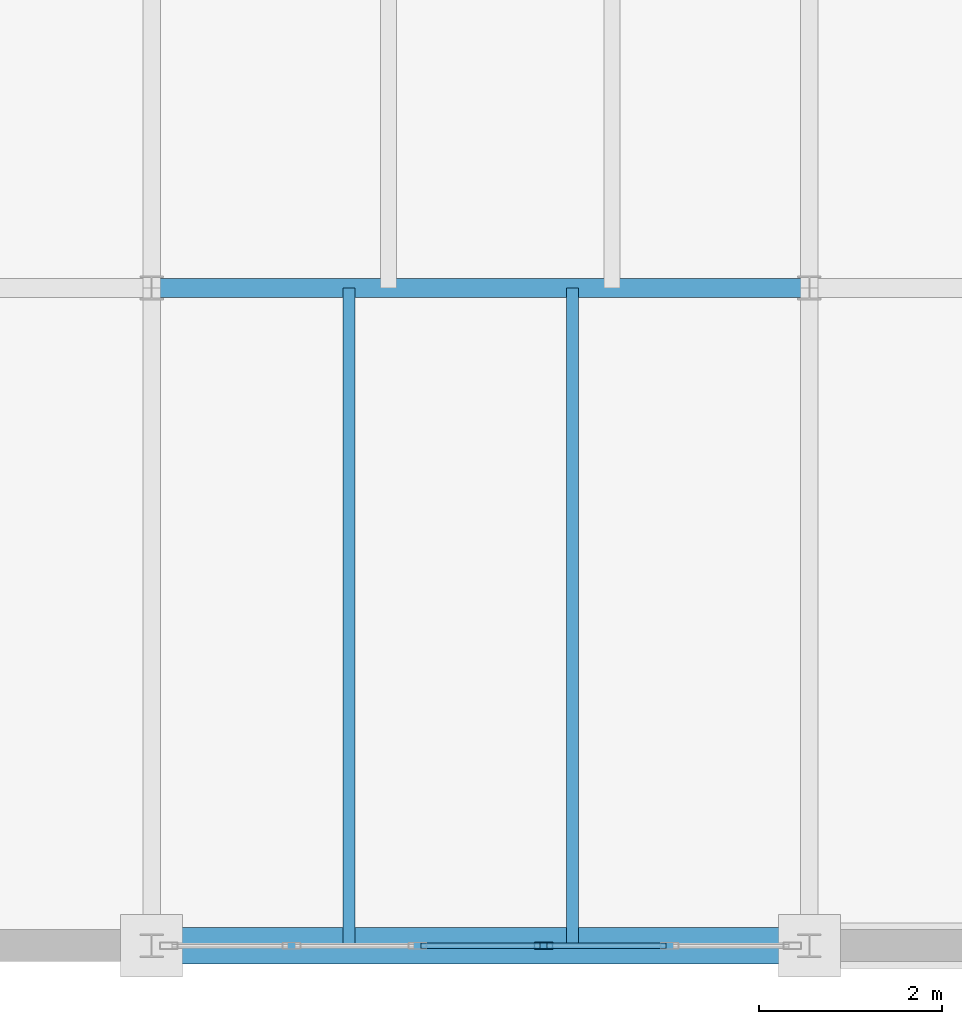
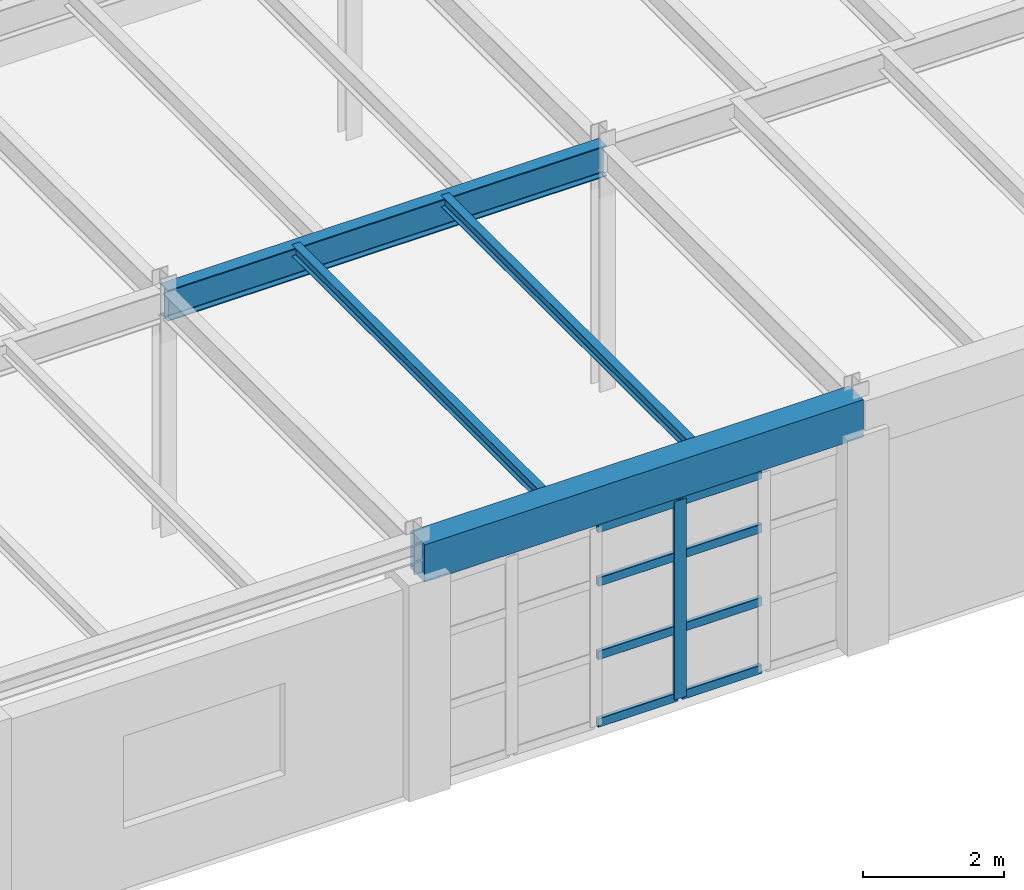
# One storey, part 50 of 137: 9 members, 4 beams, 1 element without a shape of its own.
"""IFC4 building model written with IfcOpenShell, lengths in metres."""

from ifc_helpers import new_model, si_unit, direction, frame, origin, origin_2d, place, context, subcontext, project, spatial, rectangle, hollow_rectangle, i_section, extrude, material, layer, layer_set, material_profile, profile_set, type_object, element, aggregate, save


model = new_model("IFC4")

# Units and contexts
model_context = context("Model", 3, precision=1e-05, world=origin(), true_north=direction((0.0, 1.0)))
body_context = subcontext(model_context, "Body", "Model", "MODEL_VIEW")
ifc_project = project(units=[si_unit("LENGTHUNIT", "METRE"), si_unit("AREAUNIT", "SQUARE_METRE"), si_unit("VOLUMEUNIT", "CUBIC_METRE"), si_unit("PLANEANGLEUNIT", "RADIAN"), si_unit("MASSUNIT", "GRAM", prefix="KILO")], contexts=[model_context])

# Site, building, storey
site_placement = place(None, origin())
site = spatial("IfcSite", under=ifc_project, at=site_placement, CompositionType="ELEMENT")
building_placement = place(site_placement, origin())
building = spatial("IfcBuilding", under=site, at=building_placement, Name="Kemerveld Promenade Tramway Depot", CompositionType="ELEMENT")
storey_placement = place(building_placement, frame((0.0, 0.0, 5.39990234375)))
storey = spatial("IfcBuildingStorey", under=building, at=storey_placement, Name="L01", CompositionType="ELEMENT", Elevation=5.39990234375)

# Beams
ifc_material_1 = material(Name="Steel S355", Category="steel")
ifc_material_profile_1 = material_profile(ifc_material_1, i_section(OverallWidth=0.2099609375, OverallDepth=0.53662109375, WebThickness=0.0107421875, FlangeThickness=0.017333984375, FilletRadius=0.0126953125, at=origin_2d()), Name="533x210x101 UB")
ifc_profile_set_1 = profile_set([ifc_material_profile_1], Name="Steel S355")
beam_type_1 = type_object("IfcBeamType", Name="BM-G05", PredefinedType="BEAM", material=ifc_profile_set_1)
beam_1_placement = place(storey_placement, frame((122.39990234375, 7.199951171875, 3.981689453125), z_axis=(1.0, 0.0, 0.0), x_axis=(0.0, 1.0, 0.0)))
element("IfcBeam", 1, at=beam_1_placement, inside=storey, type_object=beam_type_1, Name="BMX-L01-18-19-B", PredefinedType="BEAM", context=body_context, shape_type="SweptSolid", body=[
    extrude(i_section(OverallWidth=0.2099609375, OverallDepth=0.53662109375, WebThickness=0.0107421875, FlangeThickness=0.017333984375, FilletRadius=0.0126953125, at=origin_2d()), origin(), (0.0, 0.0, 1.0), 7.2001953125),
])
ifc_material_profile_2 = material_profile(ifc_material_1, i_section(OverallWidth=0.13330078125, OverallDepth=0.203125, WebThickness=0.005615234375, FlangeThickness=0.0078125, FilletRadius=0.007568359375, at=origin_2d()), Name="203x133x25 UB")
ifc_profile_set_2 = profile_set([ifc_material_profile_2], Name="Steel S355")
beam_type_2 = type_object("IfcBeamType", Name="BM-J03", PredefinedType="JOIST", material=ifc_profile_set_2)
for number, where, z_axis, x_axis, name in (
    (2, (124.56005859375, 0.0, 4.1484375), (0.0, 1.0, 0.0), (-1.0, 0.0, 0.0), "JST-L01-18-A-1"),
    (3, (127.008056640625, 0.0, 4.1484375), (0.0, 1.0, 0.0), (-1.0, 0.0, 0.0), "JST-L01-18-A-2"),
):
    element("IfcBeam", number, at=place(storey_placement, frame(where, z_axis=z_axis, x_axis=x_axis)), inside=storey, type_object=beam_type_2, Name=name, PredefinedType="JOIST", context=body_context, shape_type="SweptSolid", body=[
        extrude(i_section(OverallWidth=0.13330078125, OverallDepth=0.203125, WebThickness=0.005615234375, FlangeThickness=0.0078125, FilletRadius=0.007568359375, at=origin_2d()), origin(), (0.0, 0.0, 1.0), 7.199951171875),
    ])
ifc_material_2 = material(Name="Concrete C40/50", Category="concrete")
ifc_material_profile_3 = material_profile(ifc_material_2, rectangle(XDim=0.39990234375, YDim=0.64990234375, at=origin_2d()), Name="RC-BM-400x650")
ifc_profile_set_3 = profile_set([ifc_material_profile_3], Name="Concrete C40/50")
beam_type_3 = type_object("IfcBeamType", Name="BM-RC1", PredefinedType="BEAM", material=ifc_profile_set_3)
beam_2_placement = place(storey_placement, frame((122.39990234375, 0.0, 3.93505859375), z_axis=(1.0, 0.0, 0.0), x_axis=(0.0, 1.0, 0.0)))
element("IfcBeam", 4, at=beam_2_placement, inside=storey, type_object=beam_type_3, Name="BMX-L01-18-19-A", PredefinedType="BEAM", context=body_context, shape_type="SweptSolid", body=[
    extrude(rectangle(XDim=0.39990234375, YDim=0.64990234375, at=origin_2d()), origin(), (0.0, 0.0, 1.0), 7.2001953125),
])

# Curtain wall, members
ifc_material_3 = material(Name="Bronze anodised aluminium and solar glass", Category="aluminium")
ifc_layer = layer(ifc_material_3, 0.199951171875)
ifc_layer_set = layer_set([ifc_layer], Name="CW-SYS-08")
curtain_wall_type = type_object("IfcCurtainWallType", Name="CW-SYS-08", PredefinedType="USERDEFINED", material=ifc_layer_set)
curtain_wall_placement = place(storey_placement, origin())
curtain_wall = element("IfcCurtainWall", 5, at=curtain_wall_placement, inside=storey, type_object=curtain_wall_type, Name="CW-L01-V4S-05", ObjectType="GLAZED_CURTAIN_WALL", PredefinedType="USERDEFINED")
ifc_material_4 = material(Name="Bronze anodised aluminium", Category="aluminium")
ifc_material_profile_4 = material_profile(ifc_material_4, hollow_rectangle(XDim=0.074951171875, YDim=0.199951171875, WallThickness=0.0048828125, InnerFilletRadius=0.001953125, OuterFilletRadius=0.0048828125, at=origin_2d()), Name="CW-MUL-200x75")
ifc_profile_set_4 = profile_set([ifc_material_profile_4], Name="Bronze anodised aluminium")
member_type_1 = type_object("IfcMemberType", Name="CW-MUL-B", PredefinedType="MULLION", material=ifc_profile_set_4)
member_1_placement = place(storey_placement, frame((126.68994140625, 0.0, 0.0), z_axis=(0.0, 0.0, 1.0), x_axis=(0.0, -1.0, 0.0)))
member_1 = element("IfcMember", 6, at=member_1_placement, type_object=member_type_1, Name="CW08 mullion 3", PredefinedType="MULLION", context=body_context, shape_type="SweptSolid", body=[
    extrude(hollow_rectangle(XDim=0.074951171875, YDim=0.199951171875, WallThickness=0.0048828125, InnerFilletRadius=0.001953125, OuterFilletRadius=0.0048828125, at=origin_2d()), origin(), (0.0, 0.0, 1.0), 3.440185546875),
])
ifc_material_profile_5 = material_profile(ifc_material_4, hollow_rectangle(XDim=0.06494140625, YDim=0.14990234375, WallThickness=0.00439453125, InnerFilletRadius=0.001953125, OuterFilletRadius=0.00439453125, at=origin_2d()), Name="CW-TRN-150x65")
ifc_profile_set_5 = profile_set([ifc_material_profile_5], Name="Bronze anodised aluminium")
member_type_2 = type_object("IfcMemberType", Name="CW-TRN-B", PredefinedType="USERDEFINED", material=ifc_profile_set_5)
member_2_placement = place(storey_placement, frame((128.032470703125, 0.0, 0.03271484375), z_axis=(-1.0, 0.0, 0.0), x_axis=(0.0, -1.0, 0.0)))
member_2 = element("IfcMember", 7, at=member_2_placement, type_object=member_type_2, Name="CW08 transom 2.1", ObjectType="TRANSOM", PredefinedType="USERDEFINED", context=body_context, shape_type="SweptSolid", body=[
    extrude(hollow_rectangle(XDim=0.06494140625, YDim=0.14990234375, WallThickness=0.00439453125, InnerFilletRadius=0.001953125, OuterFilletRadius=0.00439453125, at=origin_2d()), origin(), (0.0, 0.0, 1.0), 1.304931640625),
])
member_3_placement = place(storey_placement, frame((128.032470703125, 0.0, 1.2041015625), z_axis=(-1.0, 0.0, 0.0), x_axis=(0.0, -1.0, 0.0)))
member_3 = element("IfcMember", 8, at=member_3_placement, type_object=member_type_2, Name="CW08 transom 2.2", ObjectType="TRANSOM", PredefinedType="USERDEFINED", context=body_context, shape_type="SweptSolid", body=[
    extrude(hollow_rectangle(XDim=0.06494140625, YDim=0.14990234375, WallThickness=0.00439453125, InnerFilletRadius=0.001953125, OuterFilletRadius=0.00439453125, at=origin_2d()), origin(), (0.0, 0.0, 1.0), 1.304931640625),
])
member_4_placement = place(storey_placement, frame((128.032470703125, 0.0, 2.47705078125), z_axis=(-1.0, 0.0, 0.0), x_axis=(0.0, -1.0, 0.0)))
member_4 = element("IfcMember", 9, at=member_4_placement, type_object=member_type_2, Name="CW08 transom 2.3", ObjectType="TRANSOM", PredefinedType="USERDEFINED", context=body_context, shape_type="SweptSolid", body=[
    extrude(hollow_rectangle(XDim=0.06494140625, YDim=0.14990234375, WallThickness=0.00439453125, InnerFilletRadius=0.001953125, OuterFilletRadius=0.00439453125, at=origin_2d()), origin(), (0.0, 0.0, 1.0), 1.304931640625),
])
member_5_placement = place(storey_placement, frame((128.032470703125, 0.0, 3.40771484375), z_axis=(-1.0, 0.0, 0.0), x_axis=(0.0, -1.0, 0.0)))
member_5 = element("IfcMember", 10, at=member_5_placement, type_object=member_type_2, Name="CW08 transom 2.4", ObjectType="TRANSOM", PredefinedType="USERDEFINED", context=body_context, shape_type="SweptSolid", body=[
    extrude(hollow_rectangle(XDim=0.06494140625, YDim=0.14990234375, WallThickness=0.00439453125, InnerFilletRadius=0.001953125, OuterFilletRadius=0.00439453125, at=origin_2d()), origin(), (0.0, 0.0, 1.0), 1.304931640625),
])
member_6_placement = place(storey_placement, frame((126.65234375, 0.0, 0.03271484375), z_axis=(-1.0, 0.0, 0.0), x_axis=(0.0, -1.0, 0.0)))
member_6 = element("IfcMember", 11, at=member_6_placement, type_object=member_type_2, Name="CW08 transom 3.1", ObjectType="TRANSOM", PredefinedType="USERDEFINED", context=body_context, shape_type="SweptSolid", body=[
    extrude(hollow_rectangle(XDim=0.06494140625, YDim=0.14990234375, WallThickness=0.00439453125, InnerFilletRadius=0.001953125, OuterFilletRadius=0.00439453125, at=origin_2d()), origin(), (0.0, 0.0, 1.0), 1.3046875),
])
member_7_placement = place(storey_placement, frame((126.65234375, 0.0, 1.2041015625), z_axis=(-1.0, 0.0, 0.0), x_axis=(0.0, -1.0, 0.0)))
member_7 = element("IfcMember", 12, at=member_7_placement, type_object=member_type_2, Name="CW08 transom 3.2", ObjectType="TRANSOM", PredefinedType="USERDEFINED", context=body_context, shape_type="SweptSolid", body=[
    extrude(hollow_rectangle(XDim=0.06494140625, YDim=0.14990234375, WallThickness=0.00439453125, InnerFilletRadius=0.001953125, OuterFilletRadius=0.00439453125, at=origin_2d()), origin(), (0.0, 0.0, 1.0), 1.3046875),
])
member_8_placement = place(storey_placement, frame((126.65234375, 0.0, 2.47705078125), z_axis=(-1.0, 0.0, 0.0), x_axis=(0.0, -1.0, 0.0)))
member_8 = element("IfcMember", 13, at=member_8_placement, type_object=member_type_2, Name="CW08 transom 3.3", ObjectType="TRANSOM", PredefinedType="USERDEFINED", context=body_context, shape_type="SweptSolid", body=[
    extrude(hollow_rectangle(XDim=0.06494140625, YDim=0.14990234375, WallThickness=0.00439453125, InnerFilletRadius=0.001953125, OuterFilletRadius=0.00439453125, at=origin_2d()), origin(), (0.0, 0.0, 1.0), 1.3046875),
])
member_9_placement = place(storey_placement, frame((126.65234375, 0.0, 3.40771484375), z_axis=(-1.0, 0.0, 0.0), x_axis=(0.0, -1.0, 0.0)))
member_9 = element("IfcMember", 14, at=member_9_placement, type_object=member_type_2, Name="CW08 transom 3.4", ObjectType="TRANSOM", PredefinedType="USERDEFINED", context=body_context, shape_type="SweptSolid", body=[
    extrude(hollow_rectangle(XDim=0.06494140625, YDim=0.14990234375, WallThickness=0.00439453125, InnerFilletRadius=0.001953125, OuterFilletRadius=0.00439453125, at=origin_2d()), origin(), (0.0, 0.0, 1.0), 1.3046875),
])
aggregate(curtain_wall, [member_1, member_2, member_3, member_4, member_5, member_6, member_7, member_8, member_9])

save(model, "model.ifc")
